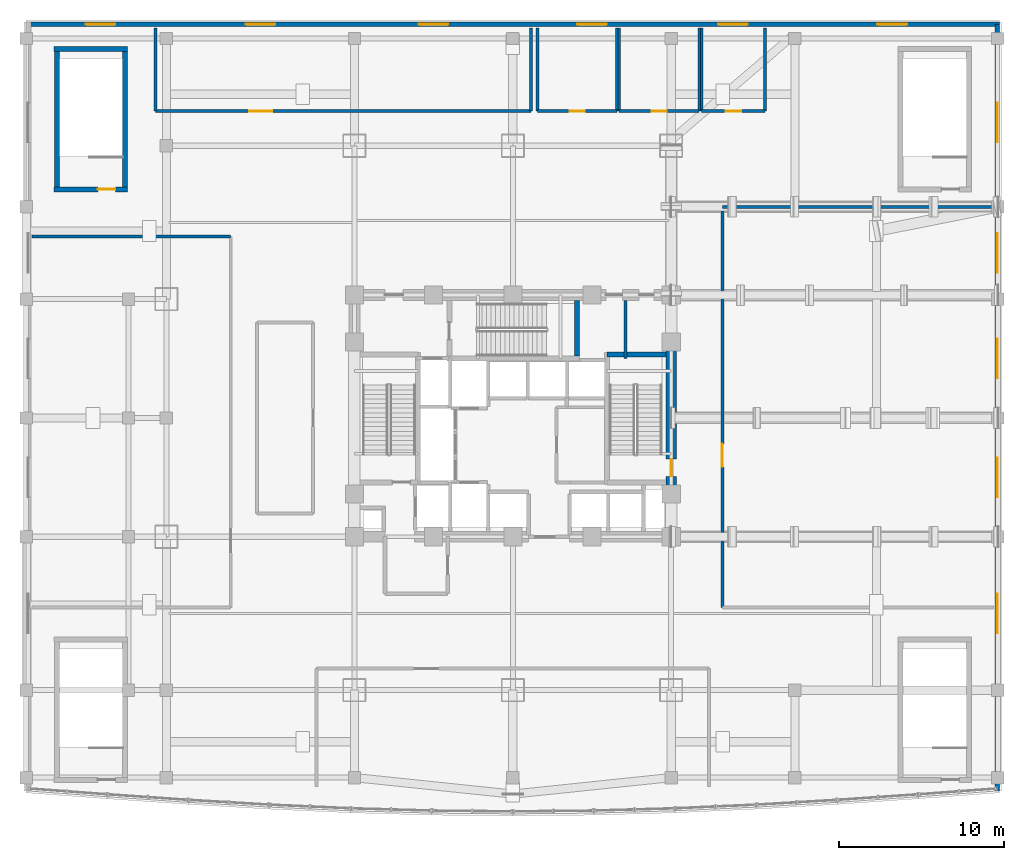
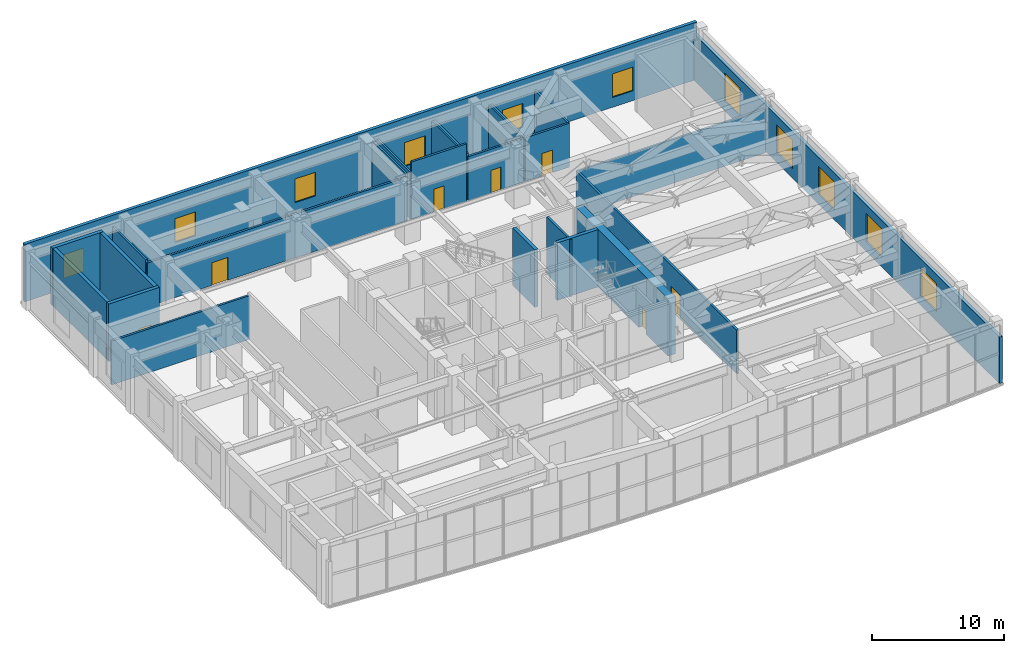
# One storey, part 14 of 19: 25 walls, 11 windows, 7 doors, 18 openings.
"""IFC4 building model written with IfcOpenShell, lengths in metres."""

from ifc_helpers import new_model, si_unit, direction, frame, frame_2d, origin, place, context, subcontext, project, spatial, rectangle, extrude, material, layer, layer_set, type_object, element, fill, save


model = new_model("IFC4")

# Units and contexts
model_context = context("Model", 3, precision=1e-05, world=origin(), true_north=direction((0.0, 1.0)))
body_context = subcontext(model_context, "Body", "Model", "MODEL_VIEW")
ifc_project = project(units=[si_unit("LENGTHUNIT", "METRE"), si_unit("AREAUNIT", "SQUARE_METRE"), si_unit("VOLUMEUNIT", "CUBIC_METRE"), si_unit("PLANEANGLEUNIT", "RADIAN"), si_unit("MASSUNIT", "GRAM", prefix="KILO")], contexts=[model_context])

# Site, building, storey
site_placement = place(None, origin())
site = spatial("IfcSite", under=ifc_project, at=site_placement, CompositionType="ELEMENT")
building_placement = place(site_placement, origin())
building = spatial("IfcBuilding", under=site, at=building_placement, Name="Vantalir Tower", CompositionType="ELEMENT")
storey_placement = place(building_placement, frame((0.0, 0.0, 21.5)))
storey = spatial("IfcBuildingStorey", under=building, at=storey_placement, Name="L04", CompositionType="ELEMENT", Elevation=21.5)

# Wall, opening, door
ifc_material_1 = material(Name="Concrete C60/75", Category="concrete")
ifc_layer_1 = layer(ifc_material_1, 0.64990234375)
ifc_layer_set_1 = layer_set([ifc_layer_1], Name="Concrete C60/75")
wall_type_1 = type_object("IfcWallType", Name="WL-CORE-650", PredefinedType="SHEAR", material=ifc_layer_set_1)
wall_1_placement = place(storey_placement, frame((41.10009765625, 18.125, 0.0), z_axis=(0.0, 0.0, 1.0), x_axis=(0.0, 1.0, 0.0)))
wall_1 = element("IfcWall", 1, at=wall_1_placement, inside=storey, type_object=wall_type_1, Name="L04 Core Shear Wall East", PredefinedType="SHEAR", context=body_context, shape_type="SweptSolid", body=[
    extrude(rectangle(XDim=14.0, YDim=0.64990234375, at=frame_2d((7.0, 0.0))), origin(), (0.0, 0.0, 1.0), 5.320068359375),
])
opening_1_placement = place(wall_1_placement, frame((3.3349609375, 0.0, 0.0)))
opening_1 = element("IfcOpeningElement", 2, at=opening_1_placement, cuts=wall_1, Name="Opening D-ST", PredefinedType="OPENING", context=body_context, shape_type="SweptSolid", body=[
    extrude(rectangle(XDim=1.050048828125, YDim=2.10009765625, at=frame_2d((0.52490234375, 1.050048828125))), frame((0.0, 0.3349609375, 0.0), z_axis=(0.0, -1.0, 0.0), x_axis=(1.0, 0.0, 0.0)), (0.0, 0.0, 1.0), 0.669921875),
])
ifc_material_2 = material(Name="Fire-rated steel door leaf", Category="steel")
door_type_1 = type_object("IfcDoorType", Name="DR-FIRE-STAIR-1050", OperationType="NOTDEFINED", PredefinedType="DOOR", material=ifc_material_2)
door_1_placement = place(opening_1_placement, origin())
door_1 = element("IfcDoor", 3, at=door_1_placement, inside=storey, type_object=door_type_1, Name="L04 Exit Stair ST2 Fire Door", OperationType="SINGLE_SWING_LEFT", OverallHeight=2.10009765625, OverallWidth=1.050048828125, PredefinedType="DOOR", context=body_context, shape_type="SweptSolid", body=[
    extrude(rectangle(XDim=1.050048828125, YDim=2.10009765625, at=frame_2d((0.52490234375, 1.050048828125))), frame((0.0, 0.02490234375, 0.0), z_axis=(0.0, -1.0, 0.0), x_axis=(1.0, 0.0, 0.0)), (0.0, 0.0, 1.0), 0.050048828125),
])
fill(opening_1, door_1)

# Wall, openings, windows
ifc_material_3 = material(Name="Precast concrete C40/50 with insulated PVDF rainscreen", Category="concrete")
ifc_layer_2 = layer(ifc_material_3, 0.280029296875)
ifc_layer_set_2 = layer_set([ifc_layer_2], Name="Precast concrete C40/50 with insulated PVDF rainscreen")
wall_type_2 = type_object("IfcWallType", Name="WL-EXT-POD-280", PredefinedType="SOLIDWALL", material=ifc_layer_set_2)
wall_2_placement = place(storey_placement, frame((60.860107421875, 2.39990234375, 0.0), z_axis=(0.0, 0.0, 1.0), x_axis=(0.0, 1.0, 0.0)))
wall_2 = element("IfcWall", 4, at=wall_2_placement, inside=storey, type_object=wall_type_2, Name="L04 Podium East Precast Facade Wall", PredefinedType="SOLIDWALL", context=body_context, shape_type="SweptSolid", body=[
    extrude(rectangle(XDim=46.460205078125, YDim=0.280029296875, at=frame_2d((23.22998046875, 0.0))), origin(), (0.0, 0.0, 1.0), 4.31494140625),
])
opening_2_placement = place(wall_2_placement, frame((9.550048828125, 0.0, 0.89990234375)))
opening_2 = element("IfcOpeningElement", 5, at=opening_2_placement, cuts=wall_2, Name="Opening WN-1", PredefinedType="OPENING", context=body_context, shape_type="SweptSolid", body=[
    extrude(rectangle(XDim=2.39990234375, YDim=2.60009765625, at=frame_2d((1.199951171875, 1.300048828125))), frame((0.0, 0.14990234375, 0.0), z_axis=(0.0, -1.0, 0.0), x_axis=(1.0, 0.0, 0.0)), (0.0, 0.0, 1.0), 0.300048828125),
])
opening_3_placement = place(wall_2_placement, frame((17.800048828125, 0.0, 0.89990234375)))
opening_3 = element("IfcOpeningElement", 6, at=opening_3_placement, cuts=wall_2, Name="Opening WN-1", PredefinedType="OPENING", context=body_context, shape_type="SweptSolid", body=[
    extrude(rectangle(XDim=2.39990234375, YDim=2.60009765625, at=frame_2d((1.199951171875, 1.300048828125))), frame((0.0, 0.14990234375, 0.0), z_axis=(0.0, -1.0, 0.0), x_axis=(1.0, 0.0, 0.0)), (0.0, 0.0, 1.0), 0.300048828125),
])
opening_4_placement = place(wall_2_placement, frame((25.0, 0.0, 0.89990234375)))
opening_4 = element("IfcOpeningElement", 7, at=opening_4_placement, cuts=wall_2, Name="Opening WN-1", PredefinedType="OPENING", context=body_context, shape_type="SweptSolid", body=[
    extrude(rectangle(XDim=2.39990234375, YDim=2.60009765625, at=frame_2d((1.199951171875, 1.300048828125))), frame((0.0, 0.14990234375, 0.0), z_axis=(0.0, -1.0, 0.0), x_axis=(1.0, 0.0, 0.0)), (0.0, 0.0, 1.0), 0.300048828125),
])
opening_5_placement = place(wall_2_placement, frame((31.39990234375, 0.0, 0.89990234375)))
opening_5 = element("IfcOpeningElement", 8, at=opening_5_placement, cuts=wall_2, Name="Opening WN-1", PredefinedType="OPENING", context=body_context, shape_type="SweptSolid", body=[
    extrude(rectangle(XDim=2.39990234375, YDim=2.60009765625, at=frame_2d((1.199951171875, 1.300048828125))), frame((0.0, 0.14990234375, 0.0), z_axis=(0.0, -1.0, 0.0), x_axis=(1.0, 0.0, 0.0)), (0.0, 0.0, 1.0), 0.300048828125),
])
opening_6_placement = place(wall_2_placement, frame((39.300048828125, 0.0, 0.89990234375)))
opening_6 = element("IfcOpeningElement", 9, at=opening_6_placement, cuts=wall_2, Name="Opening WN-1", PredefinedType="OPENING", context=body_context, shape_type="SweptSolid", body=[
    extrude(rectangle(XDim=2.39990234375, YDim=2.60009765625, at=frame_2d((1.199951171875, 1.300048828125))), frame((0.0, 0.14990234375, 0.0), z_axis=(0.0, -1.0, 0.0), x_axis=(1.0, 0.0, 0.0)), (0.0, 0.0, 1.0), 0.300048828125),
])
ifc_material_4 = material(Name="Double-silver Low-E thermally broken window", Category="glass")
window_type_1 = type_object("IfcWindowType", Name="WIN-POD-2400x2600", PartitioningType="SINGLE_PANEL", PredefinedType="WINDOW", material=ifc_material_4)
window_1_placement = place(opening_2_placement, origin())
window_1 = element("IfcWindow", 10, at=window_1_placement, inside=storey, type_object=window_type_1, Name="L04 East Podium Window E01", OverallHeight=2.60009765625, OverallWidth=2.39990234375, PartitioningType="SINGLE_PANEL", PredefinedType="WINDOW", context=body_context, shape_type="SweptSolid", body=[
    extrude(rectangle(XDim=2.39990234375, YDim=2.60009765625, at=frame_2d((1.199951171875, 1.300048828125))), frame((0.0, 0.030029296875, 0.0), z_axis=(0.0, -1.0, 0.0), x_axis=(1.0, 0.0, 0.0)), (0.0, 0.0, 1.0), 0.06005859375),
])
fill(opening_2, window_1)
window_2_placement = place(opening_3_placement, origin())
window_2 = element("IfcWindow", 11, at=window_2_placement, inside=storey, type_object=window_type_1, Name="L04 East Podium Window E02", OverallHeight=2.60009765625, OverallWidth=2.39990234375, PartitioningType="SINGLE_PANEL", PredefinedType="WINDOW", context=body_context, shape_type="SweptSolid", body=[
    extrude(rectangle(XDim=2.39990234375, YDim=2.60009765625, at=frame_2d((1.199951171875, 1.300048828125))), frame((0.0, 0.030029296875, 0.0), z_axis=(0.0, -1.0, 0.0), x_axis=(1.0, 0.0, 0.0)), (0.0, 0.0, 1.0), 0.06005859375),
])
fill(opening_3, window_2)
window_3_placement = place(opening_4_placement, origin())
window_3 = element("IfcWindow", 12, at=window_3_placement, inside=storey, type_object=window_type_1, Name="L04 East Podium Window E03", OverallHeight=2.60009765625, OverallWidth=2.39990234375, PartitioningType="SINGLE_PANEL", PredefinedType="WINDOW", context=body_context, shape_type="SweptSolid", body=[
    extrude(rectangle(XDim=2.39990234375, YDim=2.60009765625, at=frame_2d((1.199951171875, 1.300048828125))), frame((0.0, 0.030029296875, 0.0), z_axis=(0.0, -1.0, 0.0), x_axis=(1.0, 0.0, 0.0)), (0.0, 0.0, 1.0), 0.06005859375),
])
fill(opening_4, window_3)
window_4_placement = place(opening_5_placement, origin())
window_4 = element("IfcWindow", 13, at=window_4_placement, inside=storey, type_object=window_type_1, Name="L04 East Podium Window E04", OverallHeight=2.60009765625, OverallWidth=2.39990234375, PartitioningType="SINGLE_PANEL", PredefinedType="WINDOW", context=body_context, shape_type="SweptSolid", body=[
    extrude(rectangle(XDim=2.39990234375, YDim=2.60009765625, at=frame_2d((1.199951171875, 1.300048828125))), frame((0.0, 0.030029296875, 0.0), z_axis=(0.0, -1.0, 0.0), x_axis=(1.0, 0.0, 0.0)), (0.0, 0.0, 1.0), 0.06005859375),
])
fill(opening_5, window_4)
window_5_placement = place(opening_6_placement, origin())
window_5 = element("IfcWindow", 14, at=window_5_placement, inside=storey, type_object=window_type_1, Name="L04 East Podium Window E05", OverallHeight=2.60009765625, OverallWidth=2.39990234375, PartitioningType="SINGLE_PANEL", PredefinedType="WINDOW", context=body_context, shape_type="SweptSolid", body=[
    extrude(rectangle(XDim=2.39990234375, YDim=2.60009765625, at=frame_2d((1.199951171875, 1.300048828125))), frame((0.0, 0.030029296875, 0.0), z_axis=(0.0, -1.0, 0.0), x_axis=(1.0, 0.0, 0.0)), (0.0, 0.0, 1.0), 0.06005859375),
])
fill(opening_6, window_5)

wall_3_placement = place(storey_placement, frame((61.0, 48.860107421875, 0.0), z_axis=(0.0, 0.0, 1.0), x_axis=(-1.0, 0.0, 0.0)))
wall_3 = element("IfcWall", 15, at=wall_3_placement, inside=storey, type_object=wall_type_2, Name="L04 Podium North Street Facade Wall", PredefinedType="SOLIDWALL", context=body_context, shape_type="SweptSolid", body=[
    extrude(rectangle(XDim=58.860107421875, YDim=0.280029296875, at=frame_2d((29.43017578125, 0.0))), origin(), (0.0, 0.0, 1.0), 5.320068359375),
])
opening_7_placement = place(wall_3_placement, frame((53.60009765625, 0.0, 0.89990234375)))
opening_7 = element("IfcOpeningElement", 16, at=opening_7_placement, cuts=wall_3, Name="Opening WN-2", PredefinedType="OPENING", context=body_context, shape_type="SweptSolid", body=[
    extrude(rectangle(XDim=1.800048828125, YDim=2.199951171875, at=frame_2d((0.89990234375, 1.10009765625))), frame((0.0, 0.14990234375, 0.0), z_axis=(0.0, -1.0, 0.0), x_axis=(1.0, 0.0, 0.0)), (0.0, 0.0, 1.0), 0.300048828125),
])
opening_8_placement = place(wall_3_placement, frame((43.89990234375, 0.0, 0.89990234375)))
opening_8 = element("IfcOpeningElement", 17, at=opening_8_placement, cuts=wall_3, Name="Opening WN-2", PredefinedType="OPENING", context=body_context, shape_type="SweptSolid", body=[
    extrude(rectangle(XDim=1.800048828125, YDim=2.199951171875, at=frame_2d((0.89990234375, 1.10009765625))), frame((0.0, 0.14990234375, 0.0), z_axis=(0.0, -1.0, 0.0), x_axis=(1.0, 0.0, 0.0)), (0.0, 0.0, 1.0), 0.300048828125),
])
opening_9_placement = place(wall_3_placement, frame((33.39990234375, 0.0, 0.89990234375)))
opening_9 = element("IfcOpeningElement", 18, at=opening_9_placement, cuts=wall_3, Name="Opening WN-2", PredefinedType="OPENING", context=body_context, shape_type="SweptSolid", body=[
    extrude(rectangle(XDim=1.800048828125, YDim=2.199951171875, at=frame_2d((0.89990234375, 1.10009765625))), frame((0.0, 0.14990234375, 0.0), z_axis=(0.0, -1.0, 0.0), x_axis=(1.0, 0.0, 0.0)), (0.0, 0.0, 1.0), 0.300048828125),
])
opening_10_placement = place(wall_3_placement, frame((23.800048828125, 0.0, 0.89990234375)))
opening_10 = element("IfcOpeningElement", 19, at=opening_10_placement, cuts=wall_3, Name="Opening WN-2", PredefinedType="OPENING", context=body_context, shape_type="SweptSolid", body=[
    extrude(rectangle(XDim=1.800048828125, YDim=2.199951171875, at=frame_2d((0.89990234375, 1.10009765625))), frame((0.0, 0.14990234375, 0.0), z_axis=(0.0, -1.0, 0.0), x_axis=(1.0, 0.0, 0.0)), (0.0, 0.0, 1.0), 0.300048828125),
])
opening_11_placement = place(wall_3_placement, frame((15.25, 0.0, 0.89990234375)))
opening_11 = element("IfcOpeningElement", 20, at=opening_11_placement, cuts=wall_3, Name="Opening WN-2", PredefinedType="OPENING", context=body_context, shape_type="SweptSolid", body=[
    extrude(rectangle(XDim=1.800048828125, YDim=2.199951171875, at=frame_2d((0.89990234375, 1.10009765625))), frame((0.0, 0.14990234375, 0.0), z_axis=(0.0, -1.0, 0.0), x_axis=(1.0, 0.0, 0.0)), (0.0, 0.0, 1.0), 0.300048828125),
])
opening_12_placement = place(wall_3_placement, frame((5.60009765625, 0.0, 0.89990234375)))
opening_12 = element("IfcOpeningElement", 21, at=opening_12_placement, cuts=wall_3, Name="Opening WN-2", PredefinedType="OPENING", context=body_context, shape_type="SweptSolid", body=[
    extrude(rectangle(XDim=1.800048828125, YDim=2.199951171875, at=frame_2d((0.89990234375, 1.10009765625))), frame((0.0, 0.14990234375, 0.0), z_axis=(0.0, -1.0, 0.0), x_axis=(1.0, 0.0, 0.0)), (0.0, 0.0, 1.0), 0.300048828125),
])
window_type_2 = type_object("IfcWindowType", Name="WIN-POD-1800x2200", PartitioningType="SINGLE_PANEL", PredefinedType="WINDOW", material=ifc_material_4)
window_6_placement = place(opening_7_placement, origin())
window_6 = element("IfcWindow", 22, at=window_6_placement, inside=storey, type_object=window_type_2, Name="L04 North Podium Window N01", OverallHeight=2.199951171875, OverallWidth=1.800048828125, PartitioningType="SINGLE_PANEL", PredefinedType="WINDOW", context=body_context, shape_type="SweptSolid", body=[
    extrude(rectangle(XDim=1.800048828125, YDim=2.199951171875, at=frame_2d((0.89990234375, 1.10009765625))), frame((0.0, 0.030029296875, 0.0), z_axis=(0.0, -1.0, 0.0), x_axis=(1.0, 0.0, 0.0)), (0.0, 0.0, 1.0), 0.06005859375),
])
fill(opening_7, window_6)
window_7_placement = place(opening_8_placement, origin())
window_7 = element("IfcWindow", 23, at=window_7_placement, inside=storey, type_object=window_type_2, Name="L04 North Podium Window N02", OverallHeight=2.199951171875, OverallWidth=1.800048828125, PartitioningType="SINGLE_PANEL", PredefinedType="WINDOW", context=body_context, shape_type="SweptSolid", body=[
    extrude(rectangle(XDim=1.800048828125, YDim=2.199951171875, at=frame_2d((0.89990234375, 1.10009765625))), frame((0.0, 0.030029296875, 0.0), z_axis=(0.0, -1.0, 0.0), x_axis=(1.0, 0.0, 0.0)), (0.0, 0.0, 1.0), 0.06005859375),
])
fill(opening_8, window_7)
window_8_placement = place(opening_9_placement, origin())
window_8 = element("IfcWindow", 24, at=window_8_placement, inside=storey, type_object=window_type_2, Name="L04 North Podium Window N03", OverallHeight=2.199951171875, OverallWidth=1.800048828125, PartitioningType="SINGLE_PANEL", PredefinedType="WINDOW", context=body_context, shape_type="SweptSolid", body=[
    extrude(rectangle(XDim=1.800048828125, YDim=2.199951171875, at=frame_2d((0.89990234375, 1.10009765625))), frame((0.0, 0.030029296875, 0.0), z_axis=(0.0, -1.0, 0.0), x_axis=(1.0, 0.0, 0.0)), (0.0, 0.0, 1.0), 0.06005859375),
])
fill(opening_9, window_8)
window_9_placement = place(opening_10_placement, origin())
window_9 = element("IfcWindow", 25, at=window_9_placement, inside=storey, type_object=window_type_2, Name="L04 North Podium Window N04", OverallHeight=2.199951171875, OverallWidth=1.800048828125, PartitioningType="SINGLE_PANEL", PredefinedType="WINDOW", context=body_context, shape_type="SweptSolid", body=[
    extrude(rectangle(XDim=1.800048828125, YDim=2.199951171875, at=frame_2d((0.89990234375, 1.10009765625))), frame((0.0, 0.030029296875, 0.0), z_axis=(0.0, -1.0, 0.0), x_axis=(1.0, 0.0, 0.0)), (0.0, 0.0, 1.0), 0.06005859375),
])
fill(opening_10, window_9)
window_10_placement = place(opening_11_placement, origin())
window_10 = element("IfcWindow", 26, at=window_10_placement, inside=storey, type_object=window_type_2, Name="L04 North Podium Window N05", OverallHeight=2.199951171875, OverallWidth=1.800048828125, PartitioningType="SINGLE_PANEL", PredefinedType="WINDOW", context=body_context, shape_type="SweptSolid", body=[
    extrude(rectangle(XDim=1.800048828125, YDim=2.199951171875, at=frame_2d((0.89990234375, 1.10009765625))), frame((0.0, 0.030029296875, 0.0), z_axis=(0.0, -1.0, 0.0), x_axis=(1.0, 0.0, 0.0)), (0.0, 0.0, 1.0), 0.06005859375),
])
fill(opening_11, window_10)
window_11_placement = place(opening_12_placement, origin())
window_11 = element("IfcWindow", 27, at=window_11_placement, inside=storey, type_object=window_type_2, Name="L04 North Podium Window N06", OverallHeight=2.199951171875, OverallWidth=1.800048828125, PartitioningType="SINGLE_PANEL", PredefinedType="WINDOW", context=body_context, shape_type="SweptSolid", body=[
    extrude(rectangle(XDim=1.800048828125, YDim=2.199951171875, at=frame_2d((0.89990234375, 1.10009765625))), frame((0.0, 0.030029296875, 0.0), z_axis=(0.0, -1.0, 0.0), x_axis=(1.0, 0.0, 0.0)), (0.0, 0.0, 1.0), 0.06005859375),
])
fill(opening_12, window_11)

# Walls
ifc_material_5 = material(Name="Twin-stud acoustic fire-rated gypsum partition", Category="gypsum")
ifc_layer_3 = layer(ifc_material_5, 0.179931640625)
ifc_layer_set_3 = layer_set([ifc_layer_3], Name="Twin-stud acoustic fire-rated gypsum partition")
wall_type_3 = type_object("IfcWallType", Name="WL-GUEST-180", PredefinedType="PARTITIONING", material=ifc_layer_set_3)
wall_4_placement = place(storey_placement, frame((38.340087890625, 28.6201171875, 0.0), z_axis=(0.0, 0.0, 1.0), x_axis=(0.0, 1.0, 0.0)))
element("IfcWall", 28, at=wall_4_placement, inside=storey, type_object=wall_type_3, Name="L04 High-Rise Lift Lobby East Wall", PredefinedType="PARTITIONING", context=body_context, shape_type="SweptSolid", body=[
    extrude(rectangle(XDim=3.5048828125, YDim=0.179931640625, at=frame_2d((1.75244140625, 0.0))), origin(), (0.0, 0.0, 1.0), 5.300048828125),
])
wall_5_placement = place(storey_placement, frame((44.199951171875, 37.800048828125, 0.0), z_axis=(0.0, 0.0, 1.0), x_axis=(1.0, 0.0, 0.0)))
element("IfcWall", 29, at=wall_5_placement, inside=storey, type_object=wall_type_3, Name="L04 East Ballroom Transfer Truss Plant Room North Wall", PredefinedType="PARTITIONING", context=body_context, shape_type="SweptSolid", body=[
    extrude(rectangle(XDim=16.449951171875, YDim=0.179931640625, at=frame_2d((8.22509765625, 0.0))), origin(), (0.0, 0.0, 1.0), 4.054931640625),
])

# Wall, opening, door
wall_6_placement = place(storey_placement, frame((44.199951171875, 13.5, 0.0), z_axis=(0.0, 0.0, 1.0), x_axis=(0.0, 1.0, 0.0)))
wall_6 = element("IfcWall", 30, at=wall_6_placement, inside=storey, type_object=wall_type_3, Name="L04 East Ballroom Transfer Truss Plant Room West Wall", PredefinedType="PARTITIONING", context=body_context, shape_type="SweptSolid", body=[
    extrude(rectangle(XDim=24.300048828125, YDim=0.179931640625, at=frame_2d((12.14990234375, 0.0))), origin(), (0.0, 0.0, 1.0), 4.054931640625),
])
opening_13_placement = place(wall_6_placement, frame((8.533935546875, 0.0, 0.0)))
opening_13 = element("IfcOpeningElement", 31, at=opening_13_placement, cuts=wall_6, Name="Opening D-PLANT", PredefinedType="OPENING", context=body_context, shape_type="SweptSolid", body=[
    extrude(rectangle(XDim=1.39990234375, YDim=2.10009765625, at=frame_2d((0.699951171875, 1.050048828125))), frame((0.0, 0.099853515625, 0.0), z_axis=(0.0, -1.0, 0.0), x_axis=(1.0, 0.0, 0.0)), (0.0, 0.0, 1.0), 0.199951171875),
])
ifc_material_6 = material(Name="Louvred fire-rated steel plant double door", Category="steel")
door_type_2 = type_object("IfcDoorType", Name="DR-PLANT-1400", OperationType="DOUBLE_DOOR_SINGLE_SWING", PredefinedType="DOOR", material=ifc_material_6)
door_2_placement = place(opening_13_placement, frame((1.39990234375, 0.0, 0.0), z_axis=(0.0, 0.0, 1.0), x_axis=(-1.0, 0.0, 0.0)))
door_2 = element("IfcDoor", 32, at=door_2_placement, inside=storey, type_object=door_type_2, Name="L04 East Ballroom Transfer Truss Plant Room Door", OperationType="DOUBLE_DOOR_SINGLE_SWING", OverallHeight=2.10009765625, OverallWidth=1.39990234375, PredefinedType="DOOR", context=body_context, shape_type="SweptSolid", body=[
    extrude(rectangle(XDim=1.39990234375, YDim=2.10009765625, at=frame_2d((0.699951171875, 1.050048828125))), frame((0.0, 0.02490234375, 0.0), z_axis=(0.0, -1.0, 0.0), x_axis=(1.0, 0.0, 0.0)), (0.0, 0.0, 1.0), 0.050048828125),
])
fill(opening_13, door_2)

# Wall
wall_7_placement = place(storey_placement, frame((2.35009765625, 36.0, 0.0), z_axis=(0.0, 0.0, 1.0), x_axis=(1.0, 0.0, 0.0)))
element("IfcWall", 33, at=wall_7_placement, inside=storey, type_object=wall_type_3, Name="L04 West Ring Transfer Mechanical Plant Room North Wall", PredefinedType="PARTITIONING", context=body_context, shape_type="SweptSolid", body=[
    extrude(rectangle(XDim=12.0498046875, YDim=0.179931640625, at=frame_2d((6.02490234375, 0.0))), origin(), (0.0, 0.0, 1.0), 4.054931640625),
])

# Wall, opening, door
wall_8_placement = place(storey_placement, frame((9.85009765625, 43.60009765625, 0.0), z_axis=(0.0, 0.0, 1.0), x_axis=(1.0, 0.0, 0.0)))
wall_8 = element("IfcWall", 34, at=wall_8_placement, inside=storey, type_object=wall_type_3, Name="L04 North Podium Smoke Extract and Electrical Plant South Wall", PredefinedType="PARTITIONING", context=body_context, shape_type="SweptSolid", body=[
    extrude(rectangle(XDim=22.75, YDim=0.179931640625, at=frame_2d((11.375, 0.0))), origin(), (0.0, 0.0, 1.0), 4.054931640625),
])
opening_14_placement = place(wall_8_placement, frame((5.669921875, 0.0, 0.0)))
opening_14 = element("IfcOpeningElement", 35, at=opening_14_placement, cuts=wall_8, Name="Opening D-PLANT", PredefinedType="OPENING", context=body_context, shape_type="SweptSolid", body=[
    extrude(rectangle(XDim=1.39990234375, YDim=2.10009765625, at=frame_2d((0.699951171875, 1.050048828125))), frame((0.0, 0.099853515625, 0.0), z_axis=(0.0, -1.0, 0.0), x_axis=(1.0, 0.0, 0.0)), (0.0, 0.0, 1.0), 0.199951171875),
])
door_3_placement = place(opening_14_placement, origin())
door_3 = element("IfcDoor", 36, at=door_3_placement, inside=storey, type_object=door_type_2, Name="L04 North Podium Smoke Extract and Electrical Plant Door", OperationType="DOUBLE_DOOR_SINGLE_SWING", OverallHeight=2.10009765625, OverallWidth=1.39990234375, PredefinedType="DOOR", context=body_context, shape_type="SweptSolid", body=[
    extrude(rectangle(XDim=1.39990234375, YDim=2.10009765625, at=frame_2d((0.699951171875, 1.050048828125))), frame((0.0, 0.02490234375, 0.0), z_axis=(0.0, -1.0, 0.0), x_axis=(1.0, 0.0, 0.0)), (0.0, 0.0, 1.0), 0.050048828125),
])
fill(opening_14, door_3)

# Walls
for number, where, z_axis, x_axis, name in (
    (37, (9.85009765625, 43.60009765625, 0.0), (0.0, 0.0, 1.0), (0.0, 1.0, 0.0), "L04 North Podium Smoke Extract and Electrical Plant West Wall"),
    (38, (32.60009765625, 43.60009765625, 0.0), (0.0, 0.0, 1.0), (0.0, 1.0, 0.0), "L04 North Podium Smoke Extract and Electrical Plant East Wall"),
):
    element("IfcWall", number, at=place(storey_placement, frame(where, z_axis=z_axis, x_axis=x_axis)), inside=storey, type_object=wall_type_3, Name=name, PredefinedType="PARTITIONING", context=body_context, shape_type="SweptSolid", body=[
        extrude(rectangle(XDim=5.0498046875, YDim=0.179931640625, at=frame_2d((2.52490234375, 0.0))), origin(), (0.0, 0.0, 1.0), 4.327880859375),
    ])

# Wall, opening, door
wall_9_placement = place(storey_placement, frame((33.0, 43.60009765625, 0.0), z_axis=(0.0, 0.0, 1.0), x_axis=(1.0, 0.0, 0.0)))
wall_9 = element("IfcWall", 39, at=wall_9_placement, inside=storey, type_object=wall_type_3, Name="L04 Staff Male WC South Wall", PredefinedType="PARTITIONING", context=body_context, shape_type="SweptSolid", body=[
    extrude(rectangle(XDim=4.800048828125, YDim=0.179931640625, at=frame_2d((2.39990234375, 0.0))), origin(), (0.0, 0.0, 1.0), 5.300048828125),
])
opening_15_placement = place(wall_9_placement, frame((1.949951171875, 0.0, 0.0)))
opening_15 = element("IfcOpeningElement", 40, at=opening_15_placement, cuts=wall_9, Name="Opening D-WC", PredefinedType="OPENING", context=body_context, shape_type="SweptSolid", body=[
    extrude(rectangle(XDim=0.89990234375, YDim=2.10009765625, at=frame_2d((0.449951171875, 1.050048828125))), frame((0.0, 0.099853515625, 0.0), z_axis=(0.0, -1.0, 0.0), x_axis=(1.0, 0.0, 0.0)), (0.0, 0.0, 1.0), 0.199951171875),
])
ifc_material_7 = material(Name="Moisture-resistant hardwood door", Category="wood")
door_type_3 = type_object("IfcDoorType", Name="DR-ENSUITE-900", OperationType="NOTDEFINED", PredefinedType="DOOR", material=ifc_material_7)
door_4_placement = place(opening_15_placement, origin())
door_4 = element("IfcDoor", 41, at=door_4_placement, inside=storey, type_object=door_type_3, Name="L04 Staff Male WC Door", OperationType="SINGLE_SWING_LEFT", OverallHeight=2.10009765625, OverallWidth=0.89990234375, PredefinedType="DOOR", context=body_context, shape_type="SweptSolid", body=[
    extrude(rectangle(XDim=0.89990234375, YDim=2.10009765625, at=frame_2d((0.449951171875, 1.050048828125))), frame((0.0, 0.02490234375, 0.0), z_axis=(0.0, -1.0, 0.0), x_axis=(1.0, 0.0, 0.0)), (0.0, 0.0, 1.0), 0.050048828125),
])
fill(opening_15, door_4)

# Walls
for number, where, z_axis, x_axis, name in (
    (42, (33.0, 43.60009765625, 0.0), (0.0, 0.0, 1.0), (0.0, 1.0, 0.0), "L04 Staff Male WC West Wall"),
    (43, (37.800048828125, 43.60009765625, 0.0), (0.0, 0.0, 1.0), (0.0, 1.0, 0.0), "L04 Staff Male WC East Wall"),
):
    element("IfcWall", number, at=place(storey_placement, frame(where, z_axis=z_axis, x_axis=x_axis)), inside=storey, type_object=wall_type_3, Name=name, PredefinedType="PARTITIONING", context=body_context, shape_type="SweptSolid", body=[
        extrude(rectangle(XDim=5.0498046875, YDim=0.179931640625, at=frame_2d((2.52490234375, 0.0))), origin(), (0.0, 0.0, 1.0), 4.327880859375),
    ])

# Wall, opening, door
wall_10_placement = place(storey_placement, frame((37.949951171875, 43.60009765625, 0.0), z_axis=(0.0, 0.0, 1.0), x_axis=(1.0, 0.0, 0.0)))
wall_10 = element("IfcWall", 44, at=wall_10_placement, inside=storey, type_object=wall_type_3, Name="L04 Staff Female WC South Wall", PredefinedType="PARTITIONING", context=body_context, shape_type="SweptSolid", body=[
    extrude(rectangle(XDim=4.85009765625, YDim=0.179931640625, at=frame_2d((2.425048828125, 0.0))), origin(), (0.0, 0.0, 1.0), 4.054931640625),
])
opening_16_placement = place(wall_10_placement, frame((1.97509765625, 0.0, 0.0)))
opening_16 = element("IfcOpeningElement", 45, at=opening_16_placement, cuts=wall_10, Name="Opening D-WC", PredefinedType="OPENING", context=body_context, shape_type="SweptSolid", body=[
    extrude(rectangle(XDim=0.89990234375, YDim=2.10009765625, at=frame_2d((0.449951171875, 1.050048828125))), frame((0.0, 0.099853515625, 0.0), z_axis=(0.0, -1.0, 0.0), x_axis=(1.0, 0.0, 0.0)), (0.0, 0.0, 1.0), 0.199951171875),
])
door_5_placement = place(opening_16_placement, origin())
door_5 = element("IfcDoor", 46, at=door_5_placement, inside=storey, type_object=door_type_3, Name="L04 Staff Female WC Door", OperationType="SINGLE_SWING_RIGHT", OverallHeight=2.10009765625, OverallWidth=0.89990234375, PredefinedType="DOOR", context=body_context, shape_type="SweptSolid", body=[
    extrude(rectangle(XDim=0.89990234375, YDim=2.10009765625, at=frame_2d((0.449951171875, 1.050048828125))), frame((0.0, 0.02490234375, 0.0), z_axis=(0.0, -1.0, 0.0), x_axis=(1.0, 0.0, 0.0)), (0.0, 0.0, 1.0), 0.050048828125),
])
fill(opening_16, door_5)

# Walls
wall_11_placement = place(storey_placement, frame((37.949951171875, 43.60009765625, 0.0), z_axis=(0.0, 0.0, 1.0), x_axis=(0.0, 1.0, 0.0)))
element("IfcWall", 47, at=wall_11_placement, inside=storey, type_object=wall_type_3, Name="L04 Staff Female WC West Wall", PredefinedType="PARTITIONING", context=body_context, shape_type="SweptSolid", body=[
    extrude(rectangle(XDim=5.0498046875, YDim=0.179931640625, at=frame_2d((2.52490234375, 0.0))), origin(), (0.0, 0.0, 1.0), 4.327880859375),
])
wall_12_placement = place(storey_placement, frame((42.800048828125, 43.60009765625, 0.0), z_axis=(0.0, 0.0, 1.0), x_axis=(0.0, 1.0, 0.0)))
element("IfcWall", 48, at=wall_12_placement, inside=storey, type_object=wall_type_3, Name="L04 Staff Female WC East Wall", PredefinedType="PARTITIONING", context=body_context, shape_type="SweptSolid", body=[
    extrude(rectangle(XDim=5.0498046875, YDim=0.179931640625, at=frame_2d((2.52490234375, 0.0))), origin(), (0.0, 0.0, 1.0), 4.054931640625),
])

# Wall, opening, door
wall_13_placement = place(storey_placement, frame((42.949951171875, 43.60009765625, 0.0), z_axis=(0.0, 0.0, 1.0), x_axis=(1.0, 0.0, 0.0)))
wall_13 = element("IfcWall", 49, at=wall_13_placement, inside=storey, type_object=wall_type_3, Name="L04 Accessible WC South Wall", PredefinedType="PARTITIONING", context=body_context, shape_type="SweptSolid", body=[
    extrude(rectangle(XDim=3.85009765625, YDim=0.179931640625, at=frame_2d((1.925048828125, 0.0))), origin(), (0.0, 0.0, 1.0), 4.054931640625),
])
opening_17_placement = place(wall_13_placement, frame((1.449951171875, 0.0, 0.0)))
opening_17 = element("IfcOpeningElement", 50, at=opening_17_placement, cuts=wall_13, Name="Opening D-AWC", PredefinedType="OPENING", context=body_context, shape_type="SweptSolid", body=[
    extrude(rectangle(XDim=0.949951171875, YDim=2.10009765625, at=frame_2d((0.47509765625, 1.050048828125))), frame((0.0, 0.099853515625, 0.0), z_axis=(0.0, -1.0, 0.0), x_axis=(1.0, 0.0, 0.0)), (0.0, 0.0, 1.0), 0.199951171875),
])
ifc_material_8 = material(Name="Accessible toilet outward-opening hardwood door", Category="wood")
door_type_4 = type_object("IfcDoorType", Name="DR-ACC-WC-950", OperationType="NOTDEFINED", PredefinedType="DOOR", material=ifc_material_8)
door_6_placement = place(opening_17_placement, frame((0.949951171875, 0.0, 0.0), z_axis=(0.0, 0.0, 1.0), x_axis=(-1.0, 0.0, 0.0)))
door_6 = element("IfcDoor", 51, at=door_6_placement, inside=storey, type_object=door_type_4, Name="L04 Accessible WC Door", OperationType="SINGLE_SWING_LEFT", OverallHeight=2.10009765625, OverallWidth=0.949951171875, PredefinedType="DOOR", context=body_context, shape_type="SweptSolid", body=[
    extrude(rectangle(XDim=0.949951171875, YDim=2.10009765625, at=frame_2d((0.47509765625, 1.050048828125))), frame((0.0, 0.02490234375, 0.0), z_axis=(0.0, -1.0, 0.0), x_axis=(1.0, 0.0, 0.0)), (0.0, 0.0, 1.0), 0.050048828125),
])
fill(opening_17, door_6)

# Walls
for number, where, z_axis, x_axis, name in (
    (52, (42.949951171875, 43.60009765625, 0.0), (0.0, 0.0, 1.0), (0.0, 1.0, 0.0), "L04 Accessible WC West Wall"),
    (53, (46.800048828125, 43.60009765625, 0.0), (0.0, 0.0, 1.0), (0.0, 1.0, 0.0), "L04 Accessible WC East Wall"),
):
    element("IfcWall", number, at=place(storey_placement, frame(where, z_axis=z_axis, x_axis=x_axis)), inside=storey, type_object=wall_type_3, Name=name, PredefinedType="PARTITIONING", context=body_context, shape_type="SweptSolid", body=[
        extrude(rectangle(XDim=5.0498046875, YDim=0.179931640625, at=frame_2d((2.52490234375, 0.0))), origin(), (0.0, 0.0, 1.0), 4.054931640625),
    ])
ifc_material_9 = material(Name="Concrete C50/60", Category="concrete")
ifc_layer_4 = layer(ifc_material_9, 0.300048828125)
ifc_layer_set_4 = layer_set([ifc_layer_4], Name="Concrete C50/60")
wall_type_4 = type_object("IfcWallType", Name="WL-STAIR-300", PredefinedType="SHEAR", material=ifc_layer_set_4)
wall_14_placement = place(storey_placement, frame((37.2099609375, 28.85009765625, 0.0), z_axis=(0.0, 0.0, 1.0), x_axis=(1.0, 0.0, 0.0)))
element("IfcWall", 54, at=wall_14_placement, inside=storey, type_object=wall_type_4, Name="L04 Stair ST2 North Wall", PredefinedType="SHEAR", context=body_context, shape_type="SweptSolid", body=[
    extrude(rectangle(XDim=3.56494140625, YDim=0.300048828125, at=frame_2d((1.782470703125, 0.0))), origin(), (0.0, 0.0, 1.0), 5.320068359375),
])
wall_15_placement = place(storey_placement, frame((35.39990234375, 28.75, 0.0), z_axis=(0.0, 0.0, 1.0), x_axis=(0.0, 1.0, 0.0)))
element("IfcWall", 55, at=wall_15_placement, inside=storey, type_object=wall_type_4, Name="L04 Stair ST3 East Wall", PredefinedType="SHEAR", context=body_context, shape_type="SweptSolid", body=[
    extrude(rectangle(XDim=3.375, YDim=0.300048828125, at=frame_2d((1.6875, 0.0))), origin(), (0.0, 0.0, 1.0), 5.320068359375),
])

# Wall, opening, door
wall_16_placement = place(storey_placement, frame((3.699951171875, 38.860107421875, 0.0), z_axis=(0.0, 0.0, 1.0), x_axis=(1.0, 0.0, 0.0)))
wall_16 = element("IfcWall", 56, at=wall_16_placement, inside=storey, type_object=wall_type_4, Name="L04 PST1 South Wall", PredefinedType="SHEAR", context=body_context, shape_type="SweptSolid", body=[
    extrude(rectangle(XDim=4.449951171875, YDim=0.300048828125, at=frame_2d((2.22509765625, 0.0))), origin(), (0.0, 0.0, 1.0), 5.320068359375),
])
opening_18_placement = place(wall_16_placement, frame((2.64990234375, 0.0, 0.0)))
opening_18 = element("IfcOpeningElement", 57, at=opening_18_placement, cuts=wall_16, Name="Opening D-ST", PredefinedType="OPENING", context=body_context, shape_type="SweptSolid", body=[
    extrude(rectangle(XDim=1.050048828125, YDim=2.10009765625, at=frame_2d((0.52490234375, 1.050048828125))), frame((0.0, 0.159912109375, 0.0), z_axis=(0.0, -1.0, 0.0), x_axis=(1.0, 0.0, 0.0)), (0.0, 0.0, 1.0), 0.320068359375),
])
door_7_placement = place(opening_18_placement, origin())
door_7 = element("IfcDoor", 58, at=door_7_placement, inside=storey, type_object=door_type_1, Name="L04 Podium Stair PST1 Fire Door", OperationType="SINGLE_SWING_LEFT", OverallHeight=2.10009765625, OverallWidth=1.050048828125, PredefinedType="DOOR", context=body_context, shape_type="SweptSolid", body=[
    extrude(rectangle(XDim=1.050048828125, YDim=2.10009765625, at=frame_2d((0.52490234375, 1.050048828125))), frame((0.0, 0.02490234375, 0.0), z_axis=(0.0, -1.0, 0.0), x_axis=(1.0, 0.0, 0.0)), (0.0, 0.0, 1.0), 0.050048828125),
])
fill(opening_18, door_7)

# Walls
wall_17_placement = place(storey_placement, frame((3.699951171875, 47.360107421875, 0.0), z_axis=(0.0, 0.0, 1.0), x_axis=(1.0, 0.0, 0.0)))
element("IfcWall", 59, at=wall_17_placement, inside=storey, type_object=wall_type_4, Name="L04 PST1 North Wall", PredefinedType="SHEAR", context=body_context, shape_type="SweptSolid", body=[
    extrude(rectangle(XDim=4.449951171875, YDim=0.300048828125, at=frame_2d((2.22509765625, 0.0))), origin(), (0.0, 0.0, 1.0), 5.320068359375),
])
for number, where, z_axis, x_axis, name in (
    (60, (3.860107421875, 38.860107421875, 0.0), (0.0, 0.0, 1.0), (0.0, 1.0, 0.0), "L04 PST1 West Wall"),
    (61, (7.989990234375, 38.860107421875, 0.0), (0.0, 0.0, 1.0), (0.0, 1.0, 0.0), "L04 PST1 East Wall"),
):
    element("IfcWall", number, at=place(storey_placement, frame(where, z_axis=z_axis, x_axis=x_axis)), inside=storey, type_object=wall_type_4, Name=name, PredefinedType="SHEAR", context=body_context, shape_type="SweptSolid", body=[
        extrude(rectangle(XDim=8.5, YDim=0.300048828125, at=frame_2d((4.25, 0.0))), origin(), (0.0, 0.0, 1.0), 5.320068359375),
    ])

save(model, "model.ifc")
